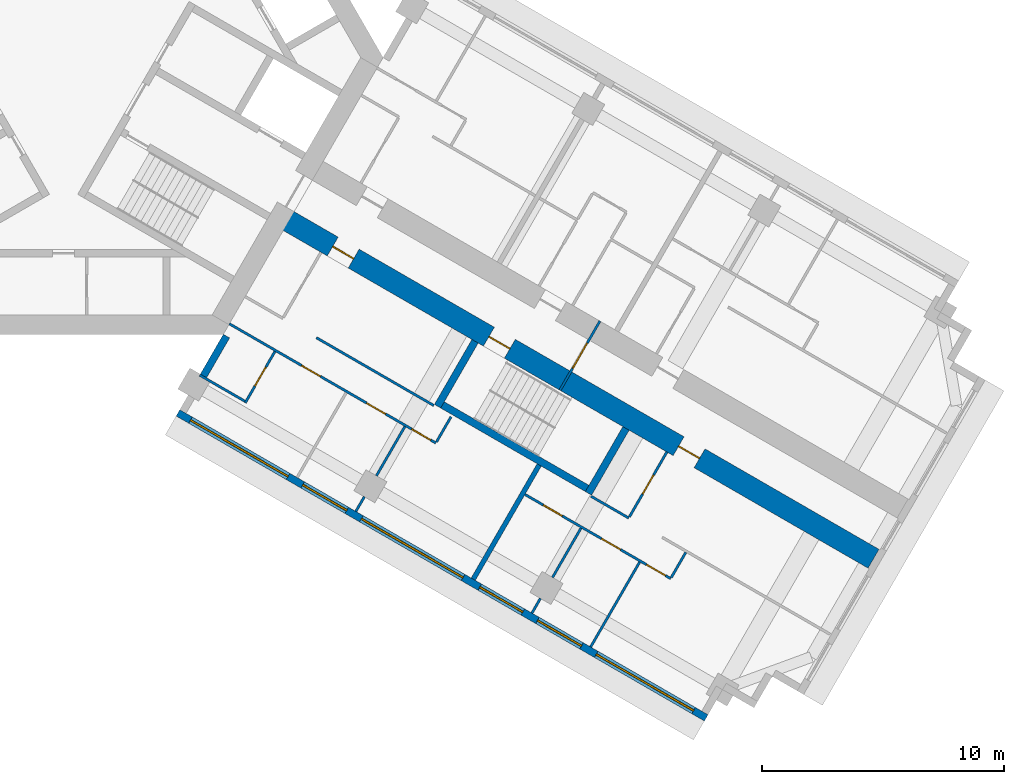
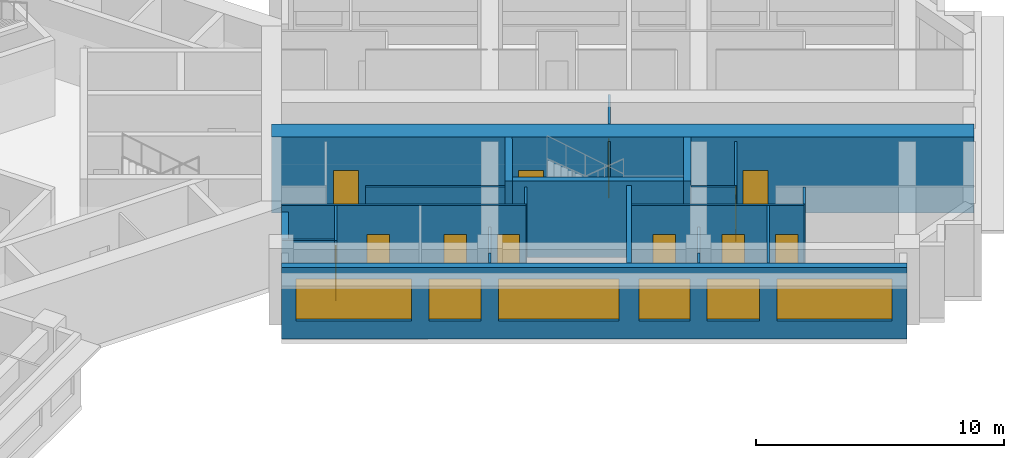
# One storey, part 5 of 12: 22 walls, 12 doors, 6 windows, 18 openings.
"""IFC4 building model written with IfcOpenShell, lengths in metres."""

from ifc_helpers import new_model, si_unit, direction, frame, frame_2d, origin, place, context, subcontext, project, spatial, rectangle, extrude, material, layer, layer_set, type_object, element, fill, save


model = new_model("IFC4")

# Units and contexts
model_context = context("Model", 3, precision=1e-05, world=origin(), true_north=direction((0.0, 1.0)))
body_context = subcontext(model_context, "Body", "Model", "MODEL_VIEW")
ifc_project = project(units=[si_unit("LENGTHUNIT", "METRE"), si_unit("AREAUNIT", "SQUARE_METRE"), si_unit("VOLUMEUNIT", "CUBIC_METRE"), si_unit("PLANEANGLEUNIT", "RADIAN"), si_unit("MASSUNIT", "GRAM", prefix="KILO")], contexts=[model_context])

# Site, building, storey
site_placement = place(None, origin())
site = spatial("IfcSite", under=ifc_project, at=site_placement, CompositionType="ELEMENT")
building_placement = place(site_placement, origin())
building = spatial("IfcBuilding", under=site, at=building_placement, Name="Impinga Residences", CompositionType="ELEMENT")
storey_placement = place(building_placement, frame((0.0, 0.0, 169.75)))
storey = spatial("IfcBuildingStorey", under=building, at=storey_placement, Name="L42", CompositionType="ELEMENT", Elevation=169.75)

# Wall, openings, doors
ifc_material_1 = material(Name="Concrete C60/75", Category="concrete")
ifc_layer_1 = layer(ifc_material_1, 0.89990234375)
ifc_layer_set_1 = layer_set([ifc_layer_1], Name="Concrete C60/75")
wall_type_1 = type_object("IfcWallType", Name="BW2 corridor buttress wall, L24 to L44 900", PredefinedType="SHEAR", material=ifc_layer_set_1)
wall_1_placement = place(storey_placement, frame((8.95361328125, -6.554931640625, 0.0), z_axis=(0.0, 0.0, 1.0), x_axis=(0.866023392092, -0.500003484338, 0.0)))
wall_1 = element("IfcWall", 1, at=wall_1_placement, inside=storey, type_object=wall_type_1, Name="Corridor wall BW2 ED L42", PredefinedType="SHEAR", context=body_context, shape_type="SweptSolid", body=[
    extrude(rectangle(XDim=28.300048828125, YDim=0.89990234375, at=frame_2d((14.14990234375, 0.0))), origin(), (0.0, 0.0, 1.0), 3.75),
])
opening_1_placement = place(wall_1_placement, frame((9.949951171875, 0.0, 0.0)))
opening_1 = element("IfcOpeningElement", 2, at=opening_1_placement, cuts=wall_1, Name="Opening D5", PredefinedType="OPENING", context=body_context, shape_type="SweptSolid", body=[
    extrude(rectangle(XDim=1.0, YDim=2.10009765625, at=frame_2d((0.5, 1.050048828125))), frame((0.0, 0.4599609375, 0.0), z_axis=(0.0, -1.0, 0.0), x_axis=(1.0, 0.0, 0.0)), (0.0, 0.0, 1.0), 0.919921875),
])
opening_2_placement = place(wall_1_placement, frame((2.5, 0.0, 0.0)))
opening_2 = element("IfcOpeningElement", 3, at=opening_2_placement, cuts=wall_1, Name="Opening D1", PredefinedType="OPENING", context=body_context, shape_type="SweptSolid", body=[
    extrude(rectangle(XDim=1.0, YDim=2.10009765625, at=frame_2d((0.5, 1.050048828125))), frame((0.0, 0.4599609375, 0.0), z_axis=(0.0, -1.0, 0.0), x_axis=(1.0, 0.0, 0.0)), (0.0, 0.0, 1.0), 0.919921875),
])
opening_3_placement = place(wall_1_placement, frame((19.0, 0.0, 0.0)))
opening_3 = element("IfcOpeningElement", 4, at=opening_3_placement, cuts=wall_1, Name="Opening D1", PredefinedType="OPENING", context=body_context, shape_type="SweptSolid", body=[
    extrude(rectangle(XDim=1.0, YDim=2.10009765625, at=frame_2d((0.5, 1.050048828125))), frame((0.0, 0.4599609375, 0.0), z_axis=(0.0, -1.0, 0.0), x_axis=(1.0, 0.0, 0.0)), (0.0, 0.0, 1.0), 0.919921875),
])
ifc_material_2 = material(Name="Timber door set", Category="wood")
door_type_1 = type_object("IfcDoorType", Name="D1 apartment entrance door 1000x2100", OperationType="SINGLE_SWING_LEFT", PredefinedType="DOOR", material=ifc_material_2)
door_1_placement = place(opening_2_placement, origin())
door_1 = element("IfcDoor", 5, at=door_1_placement, inside=storey, type_object=door_type_1, Name="Apartment L42-EF1 entrance", OperationType="SINGLE_SWING_LEFT", OverallHeight=2.10009765625, OverallWidth=1.0, PredefinedType="DOOR", context=body_context, shape_type="SweptSolid", body=[
    extrude(rectangle(XDim=1.0, YDim=2.10009765625, at=frame_2d((0.5, 1.050048828125))), frame((0.0, 0.02490234375, 0.0), z_axis=(0.0, -1.0, 0.0), x_axis=(1.0, 0.0, 0.0)), (0.0, 0.0, 1.0), 0.050048828125),
])
fill(opening_2, door_1)
door_2_placement = place(opening_3_placement, origin())
door_2 = element("IfcDoor", 6, at=door_2_placement, inside=storey, type_object=door_type_1, Name="Apartment L42-EF2 entrance", OperationType="SINGLE_SWING_RIGHT", OverallHeight=2.10009765625, OverallWidth=1.0, PredefinedType="DOOR", context=body_context, shape_type="SweptSolid", body=[
    extrude(rectangle(XDim=1.0, YDim=2.10009765625, at=frame_2d((0.5, 1.050048828125))), frame((0.0, 0.02490234375, 0.0), z_axis=(0.0, -1.0, 0.0), x_axis=(1.0, 0.0, 0.0)), (0.0, 0.0, 1.0), 0.050048828125),
])
fill(opening_3, door_2)
door_type_2 = type_object("IfcDoorType", Name="D5 stair door 1000x2100", OperationType="SINGLE_SWING_LEFT", PredefinedType="DOOR", material=ifc_material_2)
door_3_placement = place(opening_1_placement, origin())
door_3 = element("IfcDoor", 7, at=door_3_placement, inside=storey, type_object=door_type_2, Name="Wing stair door E", OperationType="SINGLE_SWING_LEFT", OverallHeight=2.10009765625, OverallWidth=1.0, PredefinedType="DOOR", context=body_context, shape_type="SweptSolid", body=[
    extrude(rectangle(XDim=1.0, YDim=2.10009765625, at=frame_2d((0.5, 1.050048828125))), frame((0.0, 0.02490234375, 0.0), z_axis=(0.0, -1.0, 0.0), x_axis=(1.0, 0.0, 0.0)), (0.0, 0.0, 1.0), 0.050048828125),
])
fill(opening_1, door_3)

# Wall, opening, door
ifc_material_3 = material(Name="Concrete blockwork", Category="masonry")
ifc_layer_2 = layer(ifc_material_3, 0.10009765625)
ifc_layer_set_2 = layer_set([ifc_layer_2], Name="CP1 core room partition, blockwork 100")
wall_type_2 = type_object("IfcWallType", Name="CP1 core room partition, blockwork 100", PredefinedType="PARTITIONING", material=ifc_layer_set_2)
wall_2_placement = place(storey_placement, frame((22.156494140625, -10.88671875, 0.0), z_axis=(0.0, 0.0, 1.0), x_axis=(-0.499974350878, -0.866040211805, 0.0)))
wall_2 = element("IfcWall", 8, at=wall_2_placement, inside=storey, type_object=wall_type_2, Name="Core room partition, blockwork L42:E:PLB", PredefinedType="PARTITIONING", context=body_context, shape_type="SweptSolid", body=[
    extrude(rectangle(XDim=3.300048828125, YDim=0.10009765625, at=frame_2d((1.64990234375, 0.0))), origin(), (0.0, 0.0, 1.0), 3.530029296875),
])
opening_4_placement = place(wall_2_placement, frame((1.050048828125, 0.0, 0.0)))
opening_4 = element("IfcOpeningElement", 9, at=opening_4_placement, cuts=wall_2, Name="Opening D3", PredefinedType="OPENING", context=body_context, shape_type="SweptSolid", body=[
    extrude(rectangle(XDim=1.199951171875, YDim=2.10009765625, at=frame_2d((0.60009765625, 1.050048828125))), frame((0.0, 0.06005859375, 0.0), z_axis=(0.0, -1.0, 0.0), x_axis=(1.0, 0.0, 0.0)), (0.0, 0.0, 1.0), 0.1201171875),
])
door_type_3 = type_object("IfcDoorType", Name="D3 room door, leaf and a half 1200x2100", OperationType="DOUBLE_SWING_LEFT", PredefinedType="DOOR", material=ifc_material_2)
door_4_placement = place(opening_4_placement, origin())
door_4 = element("IfcDoor", 10, at=door_4_placement, inside=storey, type_object=door_type_3, Name="Private lobby door E", OperationType="DOUBLE_SWING_LEFT", OverallHeight=2.10009765625, OverallWidth=1.199951171875, PredefinedType="DOOR", context=body_context, shape_type="SweptSolid", body=[
    extrude(rectangle(XDim=1.199951171875, YDim=2.10009765625, at=frame_2d((0.60009765625, 1.050048828125))), frame((0.0, 0.02490234375, 0.0), z_axis=(0.0, -1.0, 0.0), x_axis=(1.0, 0.0, 0.0)), (0.0, 0.0, 1.0), 0.050048828125),
])
fill(opening_4, door_4)

# Wall, openings, windows
ifc_material_4 = material(Name="Terracotta rainscreen on blockwork", Category="masonry")
ifc_layer_3 = layer(ifc_material_4, 0.300048828125)
ifc_layer_set_3 = layer_set([ifc_layer_3], Name="EW1 external wall, terracotta rainscreen on blockwork 300")
wall_type_3 = type_object("IfcWallType", Name="EW1 external wall, terracotta rainscreen on blockwork 300", PredefinedType="SOLIDWALL", material=ifc_layer_set_3)
wall_3_placement = place(storey_placement, frame((26.548828125, -27.279052734375, 0.0), z_axis=(0.0, 0.0, 1.0), x_axis=(-0.866026832479, 0.499997525421, 0.0)))
wall_3 = element("IfcWall", 11, at=wall_3_placement, inside=storey, type_object=wall_type_3, Name="External wall EW1 L42", PredefinedType="SOLIDWALL", context=body_context, shape_type="SweptSolid", body=[
    extrude(rectangle(XDim=25.199951171875, YDim=0.300048828125, at=frame_2d((12.60009765625, 0.0))), origin(), (0.0, 0.0, 1.0), 3.530029296875),
])
opening_5_placement = place(wall_3_placement, frame((0.60009765625, 0.0, 0.89990234375)))
opening_5 = element("IfcOpeningElement", 12, at=opening_5_placement, cuts=wall_3, Name="Opening W10", PredefinedType="OPENING", context=body_context, shape_type="SweptSolid", body=[
    extrude(rectangle(XDim=4.64990234375, YDim=2.050048828125, at=frame_2d((2.324951171875, 1.02490234375))), frame((0.0, 0.159912109375, 0.0), z_axis=(0.0, -1.0, 0.0), x_axis=(1.0, 0.0, 0.0)), (0.0, 0.0, 1.0), 0.320068359375),
])
opening_6_placement = place(wall_3_placement, frame((5.949951171875, 0.0, 0.89990234375)))
opening_6 = element("IfcOpeningElement", 13, at=opening_6_placement, cuts=wall_3, Name="Opening W9", PredefinedType="OPENING", context=body_context, shape_type="SweptSolid", body=[
    extrude(rectangle(XDim=2.10009765625, YDim=2.050048828125, at=frame_2d((1.050048828125, 1.02490234375))), frame((0.0, 0.159912109375, 0.0), z_axis=(0.0, -1.0, 0.0), x_axis=(1.0, 0.0, 0.0)), (0.0, 0.0, 1.0), 0.320068359375),
])
opening_7_placement = place(wall_3_placement, frame((8.75, 0.0, 0.89990234375)))
opening_7 = element("IfcOpeningElement", 14, at=opening_7_placement, cuts=wall_3, Name="Opening W14", PredefinedType="OPENING", context=body_context, shape_type="SweptSolid", body=[
    extrude(rectangle(XDim=2.050048828125, YDim=2.050048828125, at=frame_2d((1.02490234375, 1.02490234375))), frame((0.0, 0.159912109375, 0.0), z_axis=(0.0, -1.0, 0.0), x_axis=(1.0, 0.0, 0.0)), (0.0, 0.0, 1.0), 0.320068359375),
])
opening_8_placement = place(wall_3_placement, frame((11.60009765625, 0.0, 0.89990234375)))
opening_8 = element("IfcOpeningElement", 15, at=opening_8_placement, cuts=wall_3, Name="Opening W6", PredefinedType="OPENING", context=body_context, shape_type="SweptSolid", body=[
    extrude(rectangle(XDim=4.85009765625, YDim=2.050048828125, at=frame_2d((2.425048828125, 1.02490234375))), frame((0.0, 0.159912109375, 0.0), z_axis=(0.0, -1.0, 0.0), x_axis=(1.0, 0.0, 0.0)), (0.0, 0.0, 1.0), 0.320068359375),
])
opening_9_placement = place(wall_3_placement, frame((17.14990234375, 0.0, 0.89990234375)))
opening_9 = element("IfcOpeningElement", 16, at=opening_9_placement, cuts=wall_3, Name="Opening W9", PredefinedType="OPENING", context=body_context, shape_type="SweptSolid", body=[
    extrude(rectangle(XDim=2.10009765625, YDim=2.050048828125, at=frame_2d((1.050048828125, 1.02490234375))), frame((0.0, 0.159912109375, 0.0), z_axis=(0.0, -1.0, 0.0), x_axis=(1.0, 0.0, 0.0)), (0.0, 0.0, 1.0), 0.320068359375),
])
opening_10_placement = place(wall_3_placement, frame((19.949951171875, 0.0, 0.89990234375)))
opening_10 = element("IfcOpeningElement", 17, at=opening_10_placement, cuts=wall_3, Name="Opening W10", PredefinedType="OPENING", context=body_context, shape_type="SweptSolid", body=[
    extrude(rectangle(XDim=4.64990234375, YDim=2.050048828125, at=frame_2d((2.324951171875, 1.02490234375))), frame((0.0, 0.159912109375, 0.0), z_axis=(0.0, -1.0, 0.0), x_axis=(1.0, 0.0, 0.0)), (0.0, 0.0, 1.0), 0.320068359375),
])
ifc_material_5 = material(Name="Aluminium window, clear double glazing", Category="aluminium")
window_type_1 = type_object("IfcWindowType", Name="W10 ribbon window 4650x2050", PartitioningType="SINGLE_PANEL", PredefinedType="WINDOW", material=ifc_material_5)
window_1_placement = place(opening_5_placement, origin())
window_1 = element("IfcWindow", 18, at=window_1_placement, inside=storey, type_object=window_type_1, Name="Window L42", OverallHeight=2.050048828125, OverallWidth=4.64990234375, PartitioningType="SINGLE_PANEL", PredefinedType="WINDOW", context=body_context, shape_type="SweptSolid", body=[
    extrude(rectangle(XDim=4.64990234375, YDim=2.050048828125, at=frame_2d((2.324951171875, 1.02490234375))), frame((0.0, 0.030029296875, 0.0), z_axis=(0.0, -1.0, 0.0), x_axis=(1.0, 0.0, 0.0)), (0.0, 0.0, 1.0), 0.06005859375),
])
fill(opening_5, window_1)
window_2_placement = place(opening_10_placement, origin())
window_2 = element("IfcWindow", 19, at=window_2_placement, inside=storey, type_object=window_type_1, Name="Window L42", OverallHeight=2.050048828125, OverallWidth=4.64990234375, PartitioningType="SINGLE_PANEL", PredefinedType="WINDOW", context=body_context, shape_type="SweptSolid", body=[
    extrude(rectangle(XDim=4.64990234375, YDim=2.050048828125, at=frame_2d((2.324951171875, 1.02490234375))), frame((0.0, 0.030029296875, 0.0), z_axis=(0.0, -1.0, 0.0), x_axis=(1.0, 0.0, 0.0)), (0.0, 0.0, 1.0), 0.06005859375),
])
fill(opening_10, window_2)
window_type_2 = type_object("IfcWindowType", Name="W14 ribbon window 2050x2050", PartitioningType="SINGLE_PANEL", PredefinedType="WINDOW", material=ifc_material_5)
window_3_placement = place(opening_7_placement, origin())
window_3 = element("IfcWindow", 20, at=window_3_placement, inside=storey, type_object=window_type_2, Name="Window L42", OverallHeight=2.050048828125, OverallWidth=2.050048828125, PartitioningType="SINGLE_PANEL", PredefinedType="WINDOW", context=body_context, shape_type="SweptSolid", body=[
    extrude(rectangle(XDim=2.050048828125, YDim=2.050048828125, at=frame_2d((1.02490234375, 1.02490234375))), frame((0.0, 0.030029296875, 0.0), z_axis=(0.0, -1.0, 0.0), x_axis=(1.0, 0.0, 0.0)), (0.0, 0.0, 1.0), 0.06005859375),
])
fill(opening_7, window_3)
window_type_3 = type_object("IfcWindowType", Name="W6 ribbon window 4850x2050", PartitioningType="SINGLE_PANEL", PredefinedType="WINDOW", material=ifc_material_5)
window_4_placement = place(opening_8_placement, origin())
window_4 = element("IfcWindow", 21, at=window_4_placement, inside=storey, type_object=window_type_3, Name="Window L42", OverallHeight=2.050048828125, OverallWidth=4.85009765625, PartitioningType="SINGLE_PANEL", PredefinedType="WINDOW", context=body_context, shape_type="SweptSolid", body=[
    extrude(rectangle(XDim=4.85009765625, YDim=2.050048828125, at=frame_2d((2.425048828125, 1.02490234375))), frame((0.0, 0.030029296875, 0.0), z_axis=(0.0, -1.0, 0.0), x_axis=(1.0, 0.0, 0.0)), (0.0, 0.0, 1.0), 0.06005859375),
])
fill(opening_8, window_4)
window_type_4 = type_object("IfcWindowType", Name="W9 ribbon window 2100x2050", PartitioningType="SINGLE_PANEL", PredefinedType="WINDOW", material=ifc_material_5)
window_5_placement = place(opening_6_placement, origin())
window_5 = element("IfcWindow", 22, at=window_5_placement, inside=storey, type_object=window_type_4, Name="Window L42", OverallHeight=2.050048828125, OverallWidth=2.10009765625, PartitioningType="SINGLE_PANEL", PredefinedType="WINDOW", context=body_context, shape_type="SweptSolid", body=[
    extrude(rectangle(XDim=2.10009765625, YDim=2.050048828125, at=frame_2d((1.050048828125, 1.02490234375))), frame((0.0, 0.030029296875, 0.0), z_axis=(0.0, -1.0, 0.0), x_axis=(1.0, 0.0, 0.0)), (0.0, 0.0, 1.0), 0.06005859375),
])
fill(opening_6, window_5)
window_6_placement = place(opening_9_placement, origin())
window_6 = element("IfcWindow", 23, at=window_6_placement, inside=storey, type_object=window_type_4, Name="Window L42", OverallHeight=2.050048828125, OverallWidth=2.10009765625, PartitioningType="SINGLE_PANEL", PredefinedType="WINDOW", context=body_context, shape_type="SweptSolid", body=[
    extrude(rectangle(XDim=2.10009765625, YDim=2.050048828125, at=frame_2d((1.050048828125, 1.02490234375))), frame((0.0, 0.030029296875, 0.0), z_axis=(0.0, -1.0, 0.0), x_axis=(1.0, 0.0, 0.0)), (0.0, 0.0, 1.0), 0.06005859375),
])
fill(opening_9, window_6)

# Walls
wall_4_placement = place(storey_placement, frame((5.77978515625, -13.152099609375, 0.0), z_axis=(0.0, 0.0, 1.0), x_axis=(0.500063520245, 0.865988727248, 0.0)))
element("IfcWall", 24, at=wall_4_placement, inside=storey, type_object=wall_type_3, Name="External wall EW1 L42", PredefinedType="SOLIDWALL", context=body_context, shape_type="SweptSolid", body=[
    extrude(rectangle(XDim=1.900146484375, YDim=0.300048828125, at=frame_2d((0.9501953125, 0.0))), origin(), (0.0, 0.0, 1.0), 3.530029296875),
])
ifc_material_6 = material(Name="Gypsum board on steel studs", Category="steel")
ifc_layer_4 = layer(ifc_material_6, 0.10009765625)
ifc_layer_set_4 = layer_set([ifc_layer_4], Name="Gypsum board on steel studs")
wall_type_4 = type_object("IfcWallType", Name="IP1 partition 100", PredefinedType="PARTITIONING", material=ifc_layer_set_4)
wall_5_placement = place(storey_placement, frame((10.444580078125, -11.57275390625, 0.0), z_axis=(0.0, 0.0, 1.0), x_axis=(0.866015695474, -0.500016814911, 0.0)))
element("IfcWall", 25, at=wall_5_placement, inside=storey, type_object=wall_type_4, Name="Partition L42-EF1:DIV1", PredefinedType="PARTITIONING", context=body_context, shape_type="SweptSolid", body=[
    extrude(rectangle(XDim=5.599853515625, YDim=0.10009765625, at=frame_2d((2.7998046875, 0.0))), origin(), (0.0, 0.0, 1.0), 3.530029296875),
])

# Wall, openings, doors
wall_6_placement = place(storey_placement, frame((6.85009765625, -10.99853515625, 0.0), z_axis=(0.0, 0.0, 1.0), x_axis=(0.866021308241, -0.500007093622, 0.0)))
wall_6 = element("IfcWall", 26, at=wall_6_placement, inside=storey, type_object=wall_type_4, Name="Partition L42-EF1:STRIP", PredefinedType="PARTITIONING", context=body_context, shape_type="SweptSolid", body=[
    extrude(rectangle(XDim=9.849853515625, YDim=0.10009765625, at=frame_2d((4.9248046875, 0.0))), origin(), (0.0, 0.0, 1.0), 3.530029296875),
])
opening_11_placement = place(wall_6_placement, frame((3.449951171875, 0.0, 0.0)))
opening_11 = element("IfcOpeningElement", 27, at=opening_11_placement, cuts=wall_6, Name="Opening D2", PredefinedType="OPENING", context=body_context, shape_type="SweptSolid", body=[
    extrude(rectangle(XDim=0.89990234375, YDim=2.10009765625, at=frame_2d((0.449951171875, 1.050048828125))), frame((0.0, 0.06005859375, 0.0), z_axis=(0.0, -1.0, 0.0), x_axis=(1.0, 0.0, 0.0)), (0.0, 0.0, 1.0), 0.1201171875),
])
opening_12_placement = place(wall_6_placement, frame((6.550048828125, 0.0, 0.0)))
opening_12 = element("IfcOpeningElement", 28, at=opening_12_placement, cuts=wall_6, Name="Opening D2", PredefinedType="OPENING", context=body_context, shape_type="SweptSolid", body=[
    extrude(rectangle(XDim=0.89990234375, YDim=2.10009765625, at=frame_2d((0.449951171875, 1.050048828125))), frame((0.0, 0.06005859375, 0.0), z_axis=(0.0, -1.0, 0.0), x_axis=(1.0, 0.0, 0.0)), (0.0, 0.0, 1.0), 0.1201171875),
])
opening_13_placement = place(wall_6_placement, frame((8.699951171875, 0.0, 0.0)))
opening_13 = element("IfcOpeningElement", 29, at=opening_13_placement, cuts=wall_6, Name="Opening D2", PredefinedType="OPENING", context=body_context, shape_type="SweptSolid", body=[
    extrude(rectangle(XDim=0.89990234375, YDim=2.10009765625, at=frame_2d((0.449951171875, 1.050048828125))), frame((0.0, 0.06005859375, 0.0), z_axis=(0.0, -1.0, 0.0), x_axis=(1.0, 0.0, 0.0)), (0.0, 0.0, 1.0), 0.1201171875),
])
door_type_4 = type_object("IfcDoorType", Name="D2 internal door 900x2100", OperationType="SINGLE_SWING_LEFT", PredefinedType="DOOR", material=ifc_material_2)
door_5_placement = place(opening_11_placement, origin())
door_5 = element("IfcDoor", 30, at=door_5_placement, inside=storey, type_object=door_type_4, Name="Apartment L42-EF1 room door", OperationType="SINGLE_SWING_LEFT", OverallHeight=2.10009765625, OverallWidth=0.89990234375, PredefinedType="DOOR", context=body_context, shape_type="SweptSolid", body=[
    extrude(rectangle(XDim=0.89990234375, YDim=2.10009765625, at=frame_2d((0.449951171875, 1.050048828125))), frame((0.0, 0.02490234375, 0.0), z_axis=(0.0, -1.0, 0.0), x_axis=(1.0, 0.0, 0.0)), (0.0, 0.0, 1.0), 0.050048828125),
])
fill(opening_11, door_5)
door_6_placement = place(opening_12_placement, origin())
door_6 = element("IfcDoor", 31, at=door_6_placement, inside=storey, type_object=door_type_4, Name="Apartment L42-EF1 room door", OperationType="SINGLE_SWING_RIGHT", OverallHeight=2.10009765625, OverallWidth=0.89990234375, PredefinedType="DOOR", context=body_context, shape_type="SweptSolid", body=[
    extrude(rectangle(XDim=0.89990234375, YDim=2.10009765625, at=frame_2d((0.449951171875, 1.050048828125))), frame((0.0, 0.02490234375, 0.0), z_axis=(0.0, -1.0, 0.0), x_axis=(1.0, 0.0, 0.0)), (0.0, 0.0, 1.0), 0.050048828125),
])
fill(opening_12, door_6)
door_7_placement = place(opening_13_placement, origin())
door_7 = element("IfcDoor", 32, at=door_7_placement, inside=storey, type_object=door_type_4, Name="Apartment L42-EF1 room door", OperationType="SINGLE_SWING_RIGHT", OverallHeight=2.10009765625, OverallWidth=0.89990234375, PredefinedType="DOOR", context=body_context, shape_type="SweptSolid", body=[
    extrude(rectangle(XDim=0.89990234375, YDim=2.10009765625, at=frame_2d((0.449951171875, 1.050048828125))), frame((0.0, 0.02490234375, 0.0), z_axis=(0.0, -1.0, 0.0), x_axis=(1.0, 0.0, 0.0)), (0.0, 0.0, 1.0), 0.050048828125),
])
fill(opening_13, door_7)

# Walls
wall_7_placement = place(storey_placement, frame((16.00537109375, -14.841064453125, 0.0), z_axis=(0.0, 0.0, 1.0), x_axis=(-0.50012165622, -0.865955154139, 0.0)))
element("IfcWall", 33, at=wall_7_placement, inside=storey, type_object=wall_type_4, Name="Partition L42-EF1:SE1", PredefinedType="PARTITIONING", context=body_context, shape_type="SweptSolid", body=[
    extrude(rectangle(XDim=1.199951171875, YDim=0.10009765625, at=frame_2d((0.60009765625, 0.0))), origin(), (0.0, 0.0, 1.0), 3.530029296875),
])
wall_8_placement = place(storey_placement, frame((14.099609375, -15.241943359375, 0.0), z_axis=(0.0, 0.0, 1.0), x_axis=(-0.500016218704, -0.866016039709, 0.0)))
element("IfcWall", 34, at=wall_8_placement, inside=storey, type_object=wall_type_4, Name="Partition L42-EF1:OB2", PredefinedType="PARTITIONING", context=body_context, shape_type="SweptSolid", body=[
    extrude(rectangle(XDim=2.35009765625, YDim=0.10009765625, at=frame_2d((1.175048828125, 0.0))), origin(), (0.0, 0.0, 1.0), 2.47998046875),
])
wall_9_placement = place(storey_placement, frame((12.424560546875, -18.14306640625, 0.0), z_axis=(0.0, 0.0, 1.0), x_axis=(-0.499853302173, -0.866110083249, 0.0)))
element("IfcWall", 35, at=wall_9_placement, inside=storey, type_object=wall_type_4, Name="Partition L42-EF1:OB2b", PredefinedType="PARTITIONING", context=body_context, shape_type="SweptSolid", body=[
    extrude(rectangle(XDim=0.699951171875, YDim=0.10009765625, at=frame_2d((0.35009765625, 0.0))), origin(), (0.0, 0.0, 1.0), 3.530029296875),
])

# Wall, opening, door
wall_10_placement = place(storey_placement, frame((8.730224609375, -12.141845703125, 0.0), z_axis=(0.0, 0.0, 1.0), x_axis=(-0.499943856944, -0.866057815567, 0.0)))
wall_10 = element("IfcWall", 36, at=wall_10_placement, inside=storey, type_object=wall_type_4, Name="Partition L42-EF1:EN1", PredefinedType="PARTITIONING", context=body_context, shape_type="SweptSolid", body=[
    extrude(rectangle(XDim=2.449951171875, YDim=0.10009765625, at=frame_2d((1.22509765625, 0.0))), origin(), (0.0, 0.0, 1.0), 3.530029296875),
])
opening_14_placement = place(wall_10_placement, frame((0.75, 0.0, 0.0)))
opening_14 = element("IfcOpeningElement", 37, at=opening_14_placement, cuts=wall_10, Name="Opening D2", PredefinedType="OPENING", context=body_context, shape_type="SweptSolid", body=[
    extrude(rectangle(XDim=0.89990234375, YDim=2.10009765625, at=frame_2d((0.449951171875, 1.050048828125))), frame((0.0, 0.06005859375, 0.0), z_axis=(0.0, -1.0, 0.0), x_axis=(1.0, 0.0, 0.0)), (0.0, 0.0, 1.0), 0.1201171875),
])
door_8_placement = place(opening_14_placement, origin())
door_8 = element("IfcDoor", 38, at=door_8_placement, inside=storey, type_object=door_type_4, Name="Apartment L42-EF1 en-suite door", OperationType="SINGLE_SWING_LEFT", OverallHeight=2.10009765625, OverallWidth=0.89990234375, PredefinedType="DOOR", context=body_context, shape_type="SweptSolid", body=[
    extrude(rectangle(XDim=0.89990234375, YDim=2.10009765625, at=frame_2d((0.449951171875, 1.050048828125))), frame((0.0, 0.02490234375, 0.0), z_axis=(0.0, -1.0, 0.0), x_axis=(1.0, 0.0, 0.0)), (0.0, 0.0, 1.0), 0.050048828125),
])
fill(opening_14, door_8)

# Walls
wall_11_placement = place(storey_placement, frame((5.625, -13.120361328125, 0.0), z_axis=(0.0, 0.0, 1.0), x_axis=(0.866047553582, -0.499961633463, 0.0)))
element("IfcWall", 39, at=wall_11_placement, inside=storey, type_object=wall_type_4, Name="Partition L42-EF1:EN2", PredefinedType="PARTITIONING", context=body_context, shape_type="SweptSolid", body=[
    extrude(rectangle(XDim=2.150146484375, YDim=0.10009765625, at=frame_2d((1.0751953125, 0.0))), origin(), (0.0, 0.0, 1.0), 3.530029296875),
])
wall_12_placement = place(storey_placement, frame((21.789306640625, -18.122802734375, 0.0), z_axis=(0.0, 0.0, 1.0), x_axis=(0.866047807691, -0.499961193289, 0.0)))
element("IfcWall", 40, at=wall_12_placement, inside=storey, type_object=wall_type_4, Name="Partition L42-EF2:DIV0", PredefinedType="PARTITIONING", context=body_context, shape_type="SweptSolid", body=[
    extrude(rectangle(XDim=1.800048828125, YDim=0.10009765625, at=frame_2d((0.89990234375, 0.0))), origin(), (0.0, 0.0, 1.0), 3.530029296875),
])

# Wall, openings, doors
wall_13_placement = place(storey_placement, frame((19.06103515625, -18.048583984375, 0.0), z_axis=(0.0, 0.0, 1.0), x_axis=(0.866031734426, -0.499989034847, 0.0)))
wall_13 = element("IfcWall", 41, at=wall_13_placement, inside=storey, type_object=wall_type_4, Name="Partition L42-EF2:STRIP", PredefinedType="PARTITIONING", context=body_context, shape_type="SweptSolid", body=[
    extrude(rectangle(XDim=6.949951171875, YDim=0.10009765625, at=frame_2d((3.47509765625, 0.0))), origin(), (0.0, 0.0, 1.0), 3.530029296875),
])
opening_15_placement = place(wall_13_placement, frame((0.875, 0.0, 0.0)))
opening_15 = element("IfcOpeningElement", 42, at=opening_15_placement, cuts=wall_13, Name="Opening D2", PredefinedType="OPENING", context=body_context, shape_type="SweptSolid", body=[
    extrude(rectangle(XDim=0.89990234375, YDim=2.10009765625, at=frame_2d((0.449951171875, 1.050048828125))), frame((0.0, 0.06005859375, 0.0), z_axis=(0.0, -1.0, 0.0), x_axis=(1.0, 0.0, 0.0)), (0.0, 0.0, 1.0), 0.1201171875),
])
opening_16_placement = place(wall_13_placement, frame((3.64990234375, 0.0, 0.0)))
opening_16 = element("IfcOpeningElement", 43, at=opening_16_placement, cuts=wall_13, Name="Opening D2", PredefinedType="OPENING", context=body_context, shape_type="SweptSolid", body=[
    extrude(rectangle(XDim=0.89990234375, YDim=2.10009765625, at=frame_2d((0.449951171875, 1.050048828125))), frame((0.0, 0.06005859375, 0.0), z_axis=(0.0, -1.0, 0.0), x_axis=(1.0, 0.0, 0.0)), (0.0, 0.0, 1.0), 0.1201171875),
])
opening_17_placement = place(wall_13_placement, frame((5.800048828125, 0.0, 0.0)))
opening_17 = element("IfcOpeningElement", 44, at=opening_17_placement, cuts=wall_13, Name="Opening D2", PredefinedType="OPENING", context=body_context, shape_type="SweptSolid", body=[
    extrude(rectangle(XDim=0.89990234375, YDim=2.10009765625, at=frame_2d((0.449951171875, 1.050048828125))), frame((0.0, 0.06005859375, 0.0), z_axis=(0.0, -1.0, 0.0), x_axis=(1.0, 0.0, 0.0)), (0.0, 0.0, 1.0), 0.1201171875),
])
door_9_placement = place(opening_15_placement, origin())
door_9 = element("IfcDoor", 45, at=door_9_placement, inside=storey, type_object=door_type_4, Name="Apartment L42-EF2 room door", OperationType="SINGLE_SWING_LEFT", OverallHeight=2.10009765625, OverallWidth=0.89990234375, PredefinedType="DOOR", context=body_context, shape_type="SweptSolid", body=[
    extrude(rectangle(XDim=0.89990234375, YDim=2.10009765625, at=frame_2d((0.449951171875, 1.050048828125))), frame((0.0, 0.02490234375, 0.0), z_axis=(0.0, -1.0, 0.0), x_axis=(1.0, 0.0, 0.0)), (0.0, 0.0, 1.0), 0.050048828125),
])
fill(opening_15, door_9)
door_10_placement = place(opening_16_placement, origin())
door_10 = element("IfcDoor", 46, at=door_10_placement, inside=storey, type_object=door_type_4, Name="Apartment L42-EF2 room door", OperationType="SINGLE_SWING_RIGHT", OverallHeight=2.10009765625, OverallWidth=0.89990234375, PredefinedType="DOOR", context=body_context, shape_type="SweptSolid", body=[
    extrude(rectangle(XDim=0.89990234375, YDim=2.10009765625, at=frame_2d((0.449951171875, 1.050048828125))), frame((0.0, 0.02490234375, 0.0), z_axis=(0.0, -1.0, 0.0), x_axis=(1.0, 0.0, 0.0)), (0.0, 0.0, 1.0), 0.050048828125),
])
fill(opening_16, door_10)
door_11_placement = place(opening_17_placement, origin())
door_11 = element("IfcDoor", 47, at=door_11_placement, inside=storey, type_object=door_type_4, Name="Apartment L42-EF2 room door", OperationType="SINGLE_SWING_RIGHT", OverallHeight=2.10009765625, OverallWidth=0.89990234375, PredefinedType="DOOR", context=body_context, shape_type="SweptSolid", body=[
    extrude(rectangle(XDim=0.89990234375, YDim=2.10009765625, at=frame_2d((0.449951171875, 1.050048828125))), frame((0.0, 0.02490234375, 0.0), z_axis=(0.0, -1.0, 0.0), x_axis=(1.0, 0.0, 0.0)), (0.0, 0.0, 1.0), 0.050048828125),
])
fill(opening_17, door_11)

# Wall
wall_14_placement = place(storey_placement, frame((25.704833984375, -20.44091796875, 0.0), z_axis=(0.0, 0.0, 1.0), x_axis=(-0.500033551112, -0.866006032174, 0.0)))
element("IfcWall", 48, at=wall_14_placement, inside=storey, type_object=wall_type_4, Name="Partition L42-EF2:SE1", PredefinedType="PARTITIONING", context=body_context, shape_type="SweptSolid", body=[
    extrude(rectangle(XDim=1.2001953125, YDim=0.10009765625, at=frame_2d((0.60009765625, 0.0))), origin(), (0.0, 0.0, 1.0), 3.530029296875),
])

# Wall, opening, door
wall_15_placement = place(storey_placement, frame((24.92333984375, -16.294677734375, 0.0), z_axis=(0.0, 0.0, 1.0), x_axis=(-0.49999285859, -0.86602952684, 0.0)))
wall_15 = element("IfcWall", 49, at=wall_15_placement, inside=storey, type_object=wall_type_4, Name="Partition L42-EF2:IB1", PredefinedType="PARTITIONING", context=body_context, shape_type="SweptSolid", body=[
    extrude(rectangle(XDim=3.10009765625, YDim=0.10009765625, at=frame_2d((1.550048828125, 0.0))), origin(), (0.0, 0.0, 1.0), 3.530029296875),
])
opening_18_placement = place(wall_15_placement, frame((1.10009765625, 0.0, 0.0)))
opening_18 = element("IfcOpeningElement", 50, at=opening_18_placement, cuts=wall_15, Name="Opening D2", PredefinedType="OPENING", context=body_context, shape_type="SweptSolid", body=[
    extrude(rectangle(XDim=0.89990234375, YDim=2.10009765625, at=frame_2d((0.449951171875, 1.050048828125))), frame((0.0, 0.06005859375, 0.0), z_axis=(0.0, -1.0, 0.0), x_axis=(1.0, 0.0, 0.0)), (0.0, 0.0, 1.0), 0.1201171875),
])
door_12_placement = place(opening_18_placement, origin())
door_12 = element("IfcDoor", 51, at=door_12_placement, inside=storey, type_object=door_type_4, Name="Apartment L42-EF2 bathroom door", OperationType="SINGLE_SWING_LEFT", OverallHeight=2.10009765625, OverallWidth=0.89990234375, PredefinedType="DOOR", context=body_context, shape_type="SweptSolid", body=[
    extrude(rectangle(XDim=0.89990234375, YDim=2.10009765625, at=frame_2d((0.449951171875, 1.050048828125))), frame((0.0, 0.02490234375, 0.0), z_axis=(0.0, -1.0, 0.0), x_axis=(1.0, 0.0, 0.0)), (0.0, 0.0, 1.0), 0.050048828125),
])
fill(opening_18, door_12)

# Walls
wall_16_placement = place(storey_placement, frame((21.374267578125, -19.44189453125, 0.0), z_axis=(0.0, 0.0, 1.0), x_axis=(-0.500016218704, -0.866016039709, 0.0)))
element("IfcWall", 52, at=wall_16_placement, inside=storey, type_object=wall_type_4, Name="Partition L42-EF2:OB1", PredefinedType="PARTITIONING", context=body_context, shape_type="SweptSolid", body=[
    extrude(rectangle(XDim=2.35009765625, YDim=0.10009765625, at=frame_2d((1.175048828125, 0.0))), origin(), (0.0, 0.0, 1.0), 2.47998046875),
])
wall_17_placement = place(storey_placement, frame((19.69921875, -22.343017578125, 0.0), z_axis=(0.0, 0.0, 1.0), x_axis=(-0.500114896893, -0.865959057869, 0.0)))
element("IfcWall", 53, at=wall_17_placement, inside=storey, type_object=wall_type_4, Name="Partition L42-EF2:OB1b", PredefinedType="PARTITIONING", context=body_context, shape_type="SweptSolid", body=[
    extrude(rectangle(XDim=0.699951171875, YDim=0.10009765625, at=frame_2d((0.35009765625, 0.0))), origin(), (0.0, 0.0, 1.0), 3.530029296875),
])
wall_18_placement = place(storey_placement, frame((23.799072265625, -20.841796875, 0.0), z_axis=(0.0, 0.0, 1.0), x_axis=(-0.499990325971, -0.866030989016, 0.0)))
element("IfcWall", 54, at=wall_18_placement, inside=storey, type_object=wall_type_4, Name="Partition L42-EF2:OB2", PredefinedType="PARTITIONING", context=body_context, shape_type="SweptSolid", body=[
    extrude(rectangle(XDim=4.0498046875, YDim=0.10009765625, at=frame_2d((2.02490234375, 0.0))), origin(), (0.0, 0.0, 1.0), 3.530029296875),
])
ifc_layer_5 = layer(ifc_material_3, 0.199951171875)
ifc_layer_set_5 = layer_set([ifc_layer_5], Name="PW1 party wall between apartments 200")
wall_type_5 = type_object("IfcWallType", Name="PW1 party wall between apartments 200", PredefinedType="SOLIDWALL", material=ifc_layer_set_5)
wall_19_placement = place(storey_placement, frame((19.6494140625, -16.829345703125, 0.0), z_axis=(0.0, 0.0, 1.0), x_axis=(-0.500002931134, -0.866023711487, 0.0)))
element("IfcWall", 55, at=wall_19_placement, inside=storey, type_object=wall_type_5, Name="Party wall between apartments L42-EF1:PARTY", PredefinedType="SOLIDWALL", context=body_context, shape_type="SweptSolid", body=[
    extrude(rectangle(XDim=5.4501953125, YDim=0.199951171875, at=frame_2d((2.72509765625, 0.0))), origin(), (0.0, 0.0, 1.0), 3.530029296875),
])
ifc_layer_6 = layer(ifc_material_1, 0.300048828125)
ifc_layer_set_6 = layer_set([ifc_layer_6], Name="Concrete C60/75")
wall_type_6 = type_object("IfcWallType", Name="SE1 wing stair enclosure wall 300", PredefinedType="SOLIDWALL", material=ifc_layer_set_6)
for number, where, z_axis, x_axis, name in (
    (56, (16.9990234375, -11.7197265625, 0.0), (0.0, 0.0, 1.0), (-0.499967891604, -0.866043940782, 0.0), "Stair enclosure wall SE1 E END0 L42"),
    (57, (23.234619140625, -15.31982421875, 0.0), (0.0, 0.0, 1.0), (-0.500026960575, -0.86600983753, 0.0), "Stair enclosure wall SE1 E END1 L42"),
):
    element("IfcWall", number, at=place(storey_placement, frame(where, z_axis=z_axis, x_axis=x_axis)), inside=storey, type_object=wall_type_6, Name=name, PredefinedType="SOLIDWALL", context=body_context, shape_type="SweptSolid", body=[
        extrude(rectangle(XDim=3.099853515625, YDim=0.300048828125, at=frame_2d((1.5498046875, 0.0))), origin(), (0.0, 0.0, 1.0), 3.75),
    ])
wall_20_placement = place(storey_placement, frame((15.654052734375, -14.349365234375, 0.0), z_axis=(0.0, 0.0, 1.0), x_axis=(0.866013532718, -0.500020560727, 0.0)))
element("IfcWall", 58, at=wall_20_placement, inside=storey, type_object=wall_type_6, Name="Stair enclosure wall SE1 E OUT L42", PredefinedType="SOLIDWALL", context=body_context, shape_type="SweptSolid", body=[
    extrude(rectangle(XDim=6.900146484375, YDim=0.300048828125, at=frame_2d((3.4501953125, 0.0))), origin(), (0.0, 0.0, 1.0), 3.75),
])

save(model, "model.ifc")
